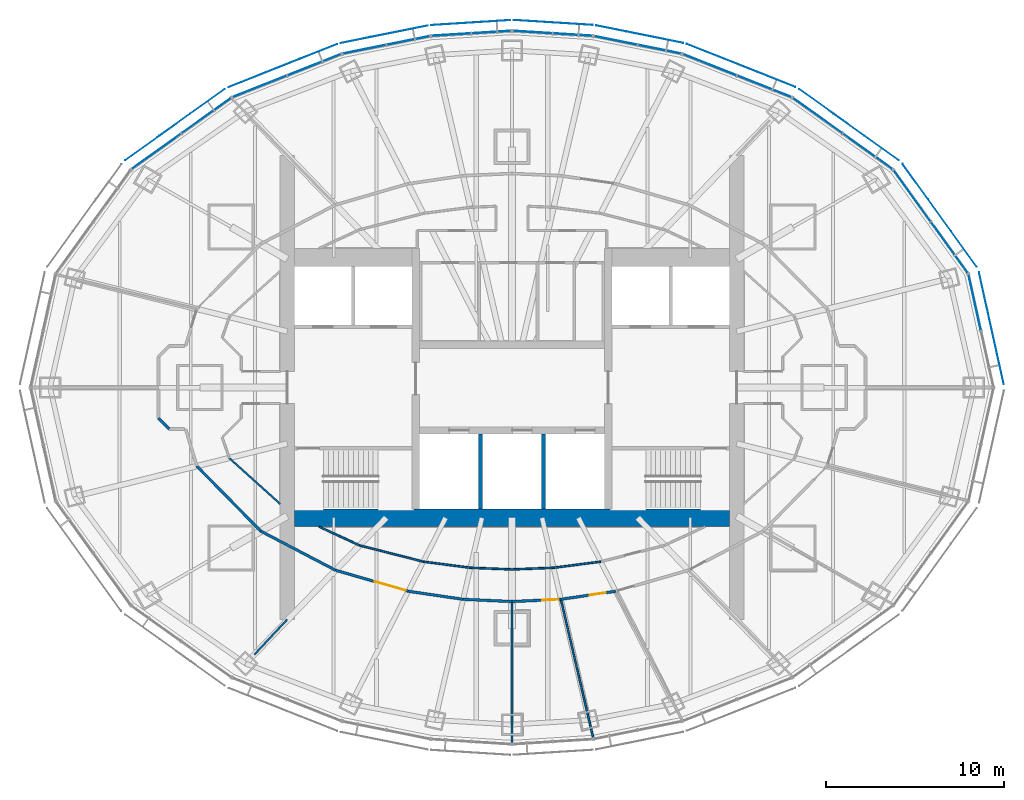
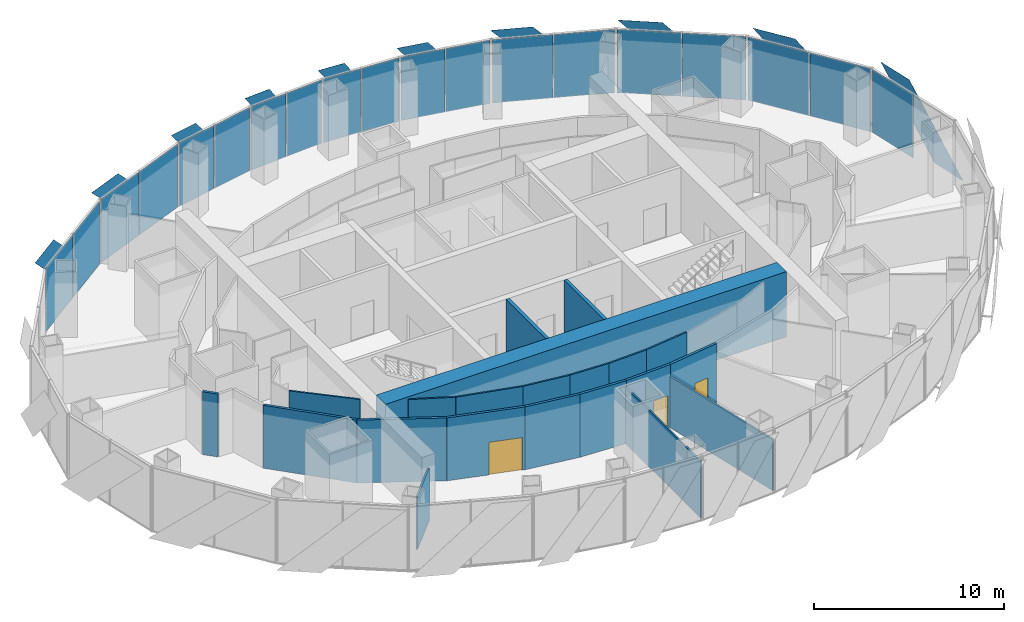
# One storey, part 11 of 17: 29 plates, 21 walls, 3 doors, 3 openings, 10 elements without a shape of their own.
"""IFC4 building model written with IfcOpenShell, lengths in metres."""

from ifc_helpers import new_model, si_unit, direction, frame, frame_2d, origin, origin_2d, place, context, subcontext, project, spatial, polyline, rectangle, outline, extrude, material, layer, layer_set, type_object, element, fill, aggregate, save


model = new_model("IFC4")

# Units and contexts
model_context = context("Model", 3, precision=1e-05, world=origin(), true_north=direction((0.0, 1.0)))
body_context = subcontext(model_context, "Body", "Model", "MODEL_VIEW")
ifc_project = project(units=[si_unit("LENGTHUNIT", "METRE"), si_unit("AREAUNIT", "SQUARE_METRE"), si_unit("VOLUMEUNIT", "CUBIC_METRE"), si_unit("PLANEANGLEUNIT", "RADIAN"), si_unit("MASSUNIT", "GRAM", prefix="KILO")], contexts=[model_context])

# Site, building, storey
site_placement = place(None, origin())
site = spatial("IfcSite", under=ifc_project, at=site_placement, CompositionType="ELEMENT")
building_placement = place(site_placement, origin())
building = spatial("IfcBuilding", under=site, at=building_placement, Name="Lantaw Convention Tower", CompositionType="ELEMENT")
storey_placement = place(building_placement, frame((0.0, 0.0, 220.0)))
storey = spatial("IfcBuildingStorey", under=building, at=storey_placement, Name="L51", CompositionType="ELEMENT", Elevation=220.0)

# Curtain wall, plate
ifc_material_1 = material(Name="Aluminium framed curtain wall", Category="aluminium")
curtain_wall_type = type_object("IfcCurtainWallType", Name="Office curtain wall high rise, pale aluminium", PredefinedType="USERDEFINED", material=ifc_material_1)
curtain_wall_1_placement = place(storey_placement, origin())
curtain_wall_1 = element("IfcCurtainWall", 1, at=curtain_wall_1_placement, inside=storey, type_object=curtain_wall_type, Name="Office curtain wall high rise, pale aluminium L51", ObjectType="UNITISED CURTAIN WALL", PredefinedType="USERDEFINED")
ifc_material_2 = material(Name="Clear insulating glass", Category="glass")
ifc_layer_1 = layer(ifc_material_2, 0.028076171875)
ifc_layer_set_1 = layer_set([ifc_layer_1], Name="CW-O2 panel 28")
plate_type_1 = type_object("IfcPlateType", Name="CW-O2 panel 28", PredefinedType="CURTAIN_PANEL", material=ifc_layer_set_1)
plate_1_placement = place(storey_placement, frame((25.945556640625, 4.769287109375, -0.0849609375), z_axis=(0.0, 0.0, 1.0), x_axis=(-0.215891333626, 0.976417396437, 0.0)))
plate_1 = element("IfcPlate", 2, at=plate_1_placement, type_object=plate_type_1, Name="CW-O2 panel 2.1", PredefinedType="CURTAIN_PANEL", context=body_context, shape_type="SweptSolid", body=[
    extrude(rectangle(XDim=3.169677734375, YDim=0.028076171875, at=origin_2d()), origin(), (0.0, 0.0, 1.0), 4.070068359375),
])
aggregate(curtain_wall_1, [plate_1])

# Curtain wall, plates
curtain_wall_2_placement = place(storey_placement, origin())
curtain_wall_2 = element("IfcCurtainWall", 3, at=curtain_wall_2_placement, inside=storey, type_object=curtain_wall_type, Name="Office curtain wall high rise, pale aluminium L51", ObjectType="UNITISED CURTAIN WALL", PredefinedType="USERDEFINED")
plate_2_placement = place(storey_placement, frame((24.527099609375, 7.852294921875, -0.0849609375), z_axis=(0.0, 0.0, 1.0), x_axis=(-0.585157643865, 0.810919559405, 0.0)))
plate_2 = element("IfcPlate", 4, at=plate_2_placement, type_object=plate_type_1, Name="CW-O2 panel 1.1", PredefinedType="CURTAIN_PANEL", context=body_context, shape_type="SweptSolid", body=[
    extrude(rectangle(XDim=3.500732421875, YDim=0.028076171875, at=origin_2d()), origin(), (0.0, 0.0, 1.0), 4.070068359375),
])
plate_3_placement = place(storey_placement, frame((22.4404296875, 10.743896484375, -0.0849609375), z_axis=(0.0, 0.0, 1.0), x_axis=(-0.585157643865, 0.810919559405, 0.0)))
plate_3 = element("IfcPlate", 5, at=plate_3_placement, type_object=plate_type_1, Name="CW-O2 panel 2.1", PredefinedType="CURTAIN_PANEL", context=body_context, shape_type="SweptSolid", body=[
    extrude(rectangle(XDim=3.500732421875, YDim=0.028076171875, at=origin_2d()), origin(), (0.0, 0.0, 1.0), 4.070068359375),
])
aggregate(curtain_wall_2, [plate_2, plate_3])

curtain_wall_3_placement = place(storey_placement, origin())
curtain_wall_3 = element("IfcCurtainWall", 6, at=curtain_wall_3_placement, inside=storey, type_object=curtain_wall_type, Name="Office curtain wall high rise, pale aluminium L51", ObjectType="UNITISED CURTAIN WALL", PredefinedType="USERDEFINED")
plate_4_placement = place(storey_placement, frame((19.947509765625, 13.23828125, -0.0849609375), z_axis=(0.0, 0.0, 1.0), x_axis=(-0.813672540482, 0.581323487281, 0.0)))
plate_4 = element("IfcPlate", 7, at=plate_4_placement, type_object=plate_type_1, Name="CW-O2 panel 1.1", PredefinedType="CURTAIN_PANEL", context=body_context, shape_type="SweptSolid", body=[
    extrude(rectangle(XDim=3.386474609375, YDim=0.028076171875, at=origin_2d()), origin(), (0.0, 0.0, 1.0), 4.070068359375),
])
plate_5_placement = place(storey_placement, frame((17.13916015625, 15.24462890625, -0.0849609375), z_axis=(0.0, 0.0, 1.0), x_axis=(-0.813672540482, 0.581323487281, 0.0)))
plate_5 = element("IfcPlate", 8, at=plate_5_placement, type_object=plate_type_1, Name="CW-O2 panel 2.1", PredefinedType="CURTAIN_PANEL", context=body_context, shape_type="SweptSolid", body=[
    extrude(rectangle(XDim=3.386474609375, YDim=0.028076171875, at=origin_2d()), origin(), (0.0, 0.0, 1.0), 4.070068359375),
])
aggregate(curtain_wall_3, [plate_4, plate_5])

curtain_wall_4_placement = place(storey_placement, origin())
curtain_wall_4 = element("IfcCurtainWall", 9, at=curtain_wall_4_placement, inside=storey, type_object=curtain_wall_type, Name="Office curtain wall high rise, pale aluminium L51", ObjectType="UNITISED CURTAIN WALL", PredefinedType="USERDEFINED")
plate_6_placement = place(storey_placement, frame((14.14990234375, 16.8837890625, -0.0849609375), z_axis=(0.0, 0.0, 1.0), x_axis=(-0.929761533743, 0.368162315252, 0.0)))
plate_6 = element("IfcPlate", 10, at=plate_6_placement, type_object=plate_type_1, Name="CW-O2 panel 1.1", PredefinedType="CURTAIN_PANEL", context=body_context, shape_type="SweptSolid", body=[
    extrude(rectangle(XDim=3.222900390625, YDim=0.028076171875, at=origin_2d()), origin(), (0.0, 0.0, 1.0), 4.070068359375),
])
plate_7_placement = place(storey_placement, frame((11.0927734375, 18.094482421875, -0.0849609375), z_axis=(0.0, 0.0, 1.0), x_axis=(-0.929761533743, 0.368162315252, 0.0)))
plate_7 = element("IfcPlate", 11, at=plate_7_placement, type_object=plate_type_1, Name="CW-O2 panel 2.1", PredefinedType="CURTAIN_PANEL", context=body_context, shape_type="SweptSolid", body=[
    extrude(rectangle(XDim=3.222900390625, YDim=0.028076171875, at=origin_2d()), origin(), (0.0, 0.0, 1.0), 4.070068359375),
])
aggregate(curtain_wall_4, [plate_6, plate_7])

curtain_wall_5_placement = place(storey_placement, origin())
curtain_wall_5 = element("IfcCurtainWall", 12, at=curtain_wall_5_placement, inside=storey, type_object=curtain_wall_type, Name="Office curtain wall high rise, pale aluminium L51", ObjectType="UNITISED CURTAIN WALL", PredefinedType="USERDEFINED")
plate_8_placement = place(storey_placement, frame((8.2724609375, 18.96533203125, -0.0849609375), z_axis=(0.0, 0.0, 1.0), x_axis=(-0.980366679695, 0.197183095987, 0.0)))
plate_8 = element("IfcPlate", 13, at=plate_8_placement, type_object=plate_type_1, Name="CW-O2 panel 1.1", PredefinedType="CURTAIN_PANEL", context=body_context, shape_type="SweptSolid", body=[
    extrude(rectangle(XDim=2.44384765625, YDim=0.028076171875, at=origin_2d()), origin(), (0.0, 0.0, 1.0), 4.070068359375),
])
plate_9_placement = place(storey_placement, frame((5.81298828125, 19.4599609375, -0.0849609375), z_axis=(0.0, 0.0, 1.0), x_axis=(-0.980366679695, 0.197183095987, 0.0)))
plate_9 = element("IfcPlate", 14, at=plate_9_placement, type_object=plate_type_1, Name="CW-O2 panel 2.1", PredefinedType="CURTAIN_PANEL", context=body_context, shape_type="SweptSolid", body=[
    extrude(rectangle(XDim=2.44384765625, YDim=0.028076171875, at=origin_2d()), origin(), (0.0, 0.0, 1.0), 4.070068359375),
])
aggregate(curtain_wall_5, [plate_8, plate_9])

curtain_wall_6_placement = place(storey_placement, origin())
curtain_wall_6 = element("IfcCurtainWall", 15, at=curtain_wall_6_placement, inside=storey, type_object=curtain_wall_type, Name="Office curtain wall high rise, pale aluminium L51", ObjectType="UNITISED CURTAIN WALL", PredefinedType="USERDEFINED")
plate_10_placement = place(storey_placement, frame((3.397216796875, 19.786376953125, -0.0849609375), z_axis=(0.0, 0.0, 1.0), x_axis=(-0.998028774865, 0.062757983884, 0.0)))
plate_10 = element("IfcPlate", 16, at=plate_10_placement, type_object=plate_type_1, Name="CW-O2 panel 1.1", PredefinedType="CURTAIN_PANEL", context=body_context, shape_type="SweptSolid", body=[
    extrude(rectangle(XDim=2.1826171875, YDim=0.028076171875, at=origin_2d()), origin(), (0.0, 0.0, 1.0), 4.070068359375),
])
plate_11_placement = place(storey_placement, frame((1.154052734375, 19.927490234375, -0.0849609375), z_axis=(0.0, 0.0, 1.0), x_axis=(-0.998028774865, 0.062757983884, 0.0)))
plate_11 = element("IfcPlate", 17, at=plate_11_placement, type_object=plate_type_1, Name="CW-O2 panel 2.1", PredefinedType="CURTAIN_PANEL", context=body_context, shape_type="SweptSolid", body=[
    extrude(rectangle(XDim=2.1826171875, YDim=0.028076171875, at=origin_2d()), origin(), (0.0, 0.0, 1.0), 4.070068359375),
])
aggregate(curtain_wall_6, [plate_10, plate_11])

curtain_wall_7_placement = place(storey_placement, origin())
curtain_wall_7 = element("IfcCurtainWall", 18, at=curtain_wall_7_placement, inside=storey, type_object=curtain_wall_type, Name="Office curtain wall high rise, pale aluminium L51", ObjectType="UNITISED CURTAIN WALL", PredefinedType="USERDEFINED")
plate_12_placement = place(storey_placement, frame((-1.154052734375, 19.927490234375, -0.0849609375), z_axis=(0.0, 0.0, 1.0), x_axis=(-0.998028774865, -0.062757983884, 0.0)))
plate_12 = element("IfcPlate", 19, at=plate_12_placement, type_object=plate_type_1, Name="CW-O2 panel 1.1", PredefinedType="CURTAIN_PANEL", context=body_context, shape_type="SweptSolid", body=[
    extrude(rectangle(XDim=2.1826171875, YDim=0.028076171875, at=origin_2d()), origin(), (0.0, 0.0, 1.0), 4.070068359375),
])
plate_13_placement = place(storey_placement, frame((-3.397216796875, 19.786376953125, -0.0849609375), z_axis=(0.0, 0.0, 1.0), x_axis=(-0.998028774865, -0.062757983884, 0.0)))
plate_13 = element("IfcPlate", 20, at=plate_13_placement, type_object=plate_type_1, Name="CW-O2 panel 2.1", PredefinedType="CURTAIN_PANEL", context=body_context, shape_type="SweptSolid", body=[
    extrude(rectangle(XDim=2.1826171875, YDim=0.028076171875, at=origin_2d()), origin(), (0.0, 0.0, 1.0), 4.070068359375),
])
aggregate(curtain_wall_7, [plate_12, plate_13])

curtain_wall_8_placement = place(storey_placement, origin())
curtain_wall_8 = element("IfcCurtainWall", 21, at=curtain_wall_8_placement, inside=storey, type_object=curtain_wall_type, Name="Office curtain wall high rise, pale aluminium L51", ObjectType="UNITISED CURTAIN WALL", PredefinedType="USERDEFINED")
plate_14_placement = place(storey_placement, frame((-5.81298828125, 19.4599609375, -0.0849609375), z_axis=(0.0, 0.0, 1.0), x_axis=(-0.980366679695, -0.197183095987, 0.0)))
plate_14 = element("IfcPlate", 22, at=plate_14_placement, type_object=plate_type_1, Name="CW-O2 panel 1.1", PredefinedType="CURTAIN_PANEL", context=body_context, shape_type="SweptSolid", body=[
    extrude(rectangle(XDim=2.44384765625, YDim=0.028076171875, at=origin_2d()), origin(), (0.0, 0.0, 1.0), 4.070068359375),
])
plate_15_placement = place(storey_placement, frame((-8.2724609375, 18.96533203125, -0.0849609375), z_axis=(0.0, 0.0, 1.0), x_axis=(-0.980366679695, -0.197183095987, 0.0)))
plate_15 = element("IfcPlate", 23, at=plate_15_placement, type_object=plate_type_1, Name="CW-O2 panel 2.1", PredefinedType="CURTAIN_PANEL", context=body_context, shape_type="SweptSolid", body=[
    extrude(rectangle(XDim=2.44384765625, YDim=0.028076171875, at=origin_2d()), origin(), (0.0, 0.0, 1.0), 4.070068359375),
])
aggregate(curtain_wall_8, [plate_14, plate_15])

curtain_wall_9_placement = place(storey_placement, origin())
curtain_wall_9 = element("IfcCurtainWall", 24, at=curtain_wall_9_placement, inside=storey, type_object=curtain_wall_type, Name="Office curtain wall high rise, pale aluminium L51", ObjectType="UNITISED CURTAIN WALL", PredefinedType="USERDEFINED")
plate_16_placement = place(storey_placement, frame((-11.0927734375, 18.094482421875, -0.0849609375), z_axis=(0.0, 0.0, 1.0), x_axis=(-0.929761533743, -0.368162315252, 0.0)))
plate_16 = element("IfcPlate", 25, at=plate_16_placement, type_object=plate_type_1, Name="CW-O2 panel 1.1", PredefinedType="CURTAIN_PANEL", context=body_context, shape_type="SweptSolid", body=[
    extrude(rectangle(XDim=3.222900390625, YDim=0.028076171875, at=origin_2d()), origin(), (0.0, 0.0, 1.0), 4.070068359375),
])
plate_17_placement = place(storey_placement, frame((-14.14990234375, 16.8837890625, -0.0849609375), z_axis=(0.0, 0.0, 1.0), x_axis=(-0.929761533743, -0.368162315252, 0.0)))
plate_17 = element("IfcPlate", 26, at=plate_17_placement, type_object=plate_type_1, Name="CW-O2 panel 2.1", PredefinedType="CURTAIN_PANEL", context=body_context, shape_type="SweptSolid", body=[
    extrude(rectangle(XDim=3.222900390625, YDim=0.028076171875, at=origin_2d()), origin(), (0.0, 0.0, 1.0), 4.070068359375),
])
aggregate(curtain_wall_9, [plate_16, plate_17])

curtain_wall_10_placement = place(storey_placement, origin())
curtain_wall_10 = element("IfcCurtainWall", 27, at=curtain_wall_10_placement, inside=storey, type_object=curtain_wall_type, Name="Office curtain wall high rise, pale aluminium L51", ObjectType="UNITISED CURTAIN WALL", PredefinedType="USERDEFINED")
plate_18_placement = place(storey_placement, frame((-17.13916015625, 15.24462890625, -0.0849609375), z_axis=(0.0, 0.0, 1.0), x_axis=(-0.813672540482, -0.581323487281, 0.0)))
plate_18 = element("IfcPlate", 28, at=plate_18_placement, type_object=plate_type_1, Name="CW-O2 panel 1.1", PredefinedType="CURTAIN_PANEL", context=body_context, shape_type="SweptSolid", body=[
    extrude(rectangle(XDim=3.386474609375, YDim=0.028076171875, at=origin_2d()), origin(), (0.0, 0.0, 1.0), 4.070068359375),
])
plate_19_placement = place(storey_placement, frame((-19.947509765625, 13.23828125, -0.0849609375), z_axis=(0.0, 0.0, 1.0), x_axis=(-0.813672540482, -0.581323487281, 0.0)))
plate_19 = element("IfcPlate", 29, at=plate_19_placement, type_object=plate_type_1, Name="CW-O2 panel 2.1", PredefinedType="CURTAIN_PANEL", context=body_context, shape_type="SweptSolid", body=[
    extrude(rectangle(XDim=3.386474609375, YDim=0.028076171875, at=origin_2d()), origin(), (0.0, 0.0, 1.0), 4.070068359375),
])
aggregate(curtain_wall_10, [plate_18, plate_19])

# Plates
ifc_material_3 = material(Name="Perforated aluminium sheet, pale silver finish", Category="aluminium")
ifc_layer_2 = layer(ifc_material_3, 0.006103515625)
ifc_layer_set_2 = layer_set([ifc_layer_2], Name="Perforated aluminium solar SCREEN panel")
plate_type_2 = type_object("IfcPlateType", Name="Perforated aluminium solar SCREEN panel", PredefinedType="SHEET", material=ifc_layer_set_2)
plate_20_placement = place(storey_placement, frame((27.580810546875, 0.1796875, -0.175048828125), z_axis=(0.976429511424, 0.215836529031, 4.4219438e-05), x_axis=(-0.215836529242, 0.976429512379, 0.0)))
element("IfcPlate", 30, at=plate_20_placement, inside=storey, type_object=plate_type_2, Name="Solar SCREEN panel", PredefinedType="SHEET", context=body_context, shape_type="SweptSolid", body=[
    extrude(outline(polyline([(0.0, 0.0), (2.2215525295212517, -3.3881317890172014e-21), (6.4341686174090675, 4.340087894868215), (4.212616087887817, 4.340087894868215), (0.0, 0.0)])), origin(), (0.0, 0.0, -1.0), 0.006103515625),
])
plate_21_placement = place(storey_placement, frame((26.051513671875, 6.775390625, -0.175048828125), z_axis=(-0.810892289695, -0.585195432394, 2.0458414e-05), x_axis=(-0.585195432516, 0.810892289865, 0.0)))
element("IfcPlate", 31, at=plate_21_placement, inside=storey, type_object=plate_type_2, Name="Solar SCREEN panel", PredefinedType="SHEET", context=body_context, shape_type="SweptSolid", body=[
    extrude(outline(polyline([(0.0, 0.0), (2.446848840683286, 6.776263578034403e-21), (7.09661046667572, -4.340087891533265), (4.649761625992435, -4.340087891533265), (0.0, 0.0)])), origin(), (0.0, 0.0, -1.0), 0.006103515625),
])
plate_22_placement = place(storey_placement, frame((21.689697265625, 12.73828125, -0.175048828125), z_axis=(0.581330799771, 0.813667316006, 1.0072414e-05), x_axis=(-0.813667316047, 0.5813307998, 3.02e-10)))
element("IfcPlate", 32, at=plate_22_placement, inside=storey, type_object=plate_type_2, Name="Solar SCREEN panel", PredefinedType="SHEET", context=body_context, shape_type="SweptSolid", body=[
    extrude(outline(polyline([(0.0, 0.0), (2.3691416428668504, 0.0), (6.867806096558412, 4.34008788877314), (4.498863102938644, 4.340087890202622), (0.0, 0.0)])), origin(), (0.0, 0.0, -1.0), 0.006103515625),
])
plate_23_placement = place(storey_placement, frame((15.88525390625, 16.8486328125, -0.175048828125), z_axis=(-0.368116612072, -0.929779629081, 3.5533269e-05), x_axis=(-0.929779629668, 0.368116612304, -1.786e-09)))
element("IfcPlate", 33, at=plate_23_placement, inside=storey, type_object=plate_type_2, Name="Solar SCREEN panel", PredefinedType="SHEET", context=body_context, shape_type="SweptSolid", body=[
    extrude(outline(polyline([(0.0, 0.0), (2.2578720663572183, -3.3881317890172014e-21), (6.540904465438181, -4.340087905048178), (4.282942526861161, -4.340087896982072), (0.0, 0.0)])), origin(), (0.0, 0.0, -1.0), 0.006103515625),
])
plate_24_placement = place(storey_placement, frame((9.6044921875, 19.315673828125, -0.175048828125), z_axis=(-0.197162069853, -0.980370908428, 1.0904083e-05), x_axis=(-0.980370908486, 0.197162069865, -7.55e-10)))
element("IfcPlate", 34, at=plate_24_placement, inside=storey, type_object=plate_type_2, Name="Solar SCREEN panel", PredefinedType="SHEET", context=body_context, shape_type="SweptSolid", body=[
    extrude(outline(polyline([(0.0, 0.0), (1.7279870169553606, 8.470329472543003e-22), (4.982578440602753, -4.340087894645749), (3.2545432883764285, -4.340087892035838), (0.0, 0.0)])), origin(), (0.0, 0.0, -1.0), 0.006103515625),
])
plate_25_placement = place(storey_placement, frame((4.539306640625, 20.32177734375, -0.175048828125), z_axis=(-0.062672387577, -0.998034151922, 5.858668e-05), x_axis=(-0.998034153635, 0.062672387685, 0.0)))
element("IfcPlate", 35, at=plate_25_placement, inside=storey, type_object=plate_type_2, Name="Solar SCREEN panel", PredefinedType="SHEET", context=body_context, shape_type="SweptSolid", body=[
    extrude(outline(polyline([(0.0, 0.0), (1.5504111513762302, 8.470329472543003e-22), (4.460200019412434, -4.340087898073457), (2.9097888680362036, -4.340087898073457), (0.0, 0.0)])), origin(), (0.0, 0.0, -1.0), 0.006103515625),
])
plate_26_placement = place(storey_placement, frame((-0.087890625, 20.6015625, -0.175048828125), z_axis=(-0.062672387577, 0.998034151922, 5.858668e-05), x_axis=(-0.998034153635, -0.062672387685, 0.0)))
element("IfcPlate", 36, at=plate_26_placement, inside=storey, type_object=plate_type_2, Name="Solar SCREEN panel", PredefinedType="SHEET", context=body_context, shape_type="SweptSolid", body=[
    extrude(outline(polyline([(0.0, 0.0), (1.5504111513762302, -8.470329472543003e-22), (4.460200019412434, 4.340087898073457), (2.9097888680362036, 4.340087898073457), (0.0, 0.0)])), origin(), (0.0, 0.0, -1.0), 0.006103515625),
])
plate_27_placement = place(storey_placement, frame((-4.7197265625, 20.298095703125, -0.175048828125), z_axis=(-0.197162069853, 0.980370908428, 1.0904083e-05), x_axis=(-0.980370908486, -0.197162069865, 7.55e-10)))
element("IfcPlate", 37, at=plate_27_placement, inside=storey, type_object=plate_type_2, Name="Solar SCREEN panel", PredefinedType="SHEET", context=body_context, shape_type="SweptSolid", body=[
    extrude(outline(polyline([(0.0, 0.0), (1.7280351522263238, 4.235164736271502e-22), (4.982578447157737, 4.34008788712039), (3.2545914302023755, 4.340087889730228), (0.0, 0.0)])), origin(), (0.0, 0.0, -1.0), 0.006103515625),
])
plate_28_placement = place(storey_placement, frame((-9.8037109375, 19.256591796875, -0.175048828125), z_axis=(-0.368116612072, 0.929779629081, 3.5533269e-05), x_axis=(-0.929779629668, -0.368116612304, 1.786e-09)))
element("IfcPlate", 38, at=plate_28_placement, inside=storey, type_object=plate_type_2, Name="Solar SCREEN panel", PredefinedType="SHEET", context=body_context, shape_type="SweptSolid", body=[
    extrude(outline(polyline([(0.0, 0.0), (2.257961938577019, 0.0), (6.540904480942253, 4.34008788168214), (4.283032414585035, 4.340087889747925), (0.0, 0.0)])), origin(), (0.0, 0.0, -1.0), 0.006103515625),
])
plate_29_placement = place(storey_placement, frame((-16.1015625, 16.730712890625, -0.175048828125), z_axis=(0.581330799771, -0.813667316006, 1.0072414e-05), x_axis=(-0.813667316047, -0.5813307998, -3.02e-10)))
element("IfcPlate", 39, at=plate_29_placement, inside=storey, type_object=plate_type_2, Name="Solar SCREEN panel", PredefinedType="SHEET", context=body_context, shape_type="SweptSolid", body=[
    extrude(outline(polyline([(0.0, 0.0), (2.3689429936197683, -1.6940658945086007e-21), (6.867806093939489, -4.340087892917353), (4.498664451072639, -4.340087891487751), (0.0, 0.0)])), origin(), (0.0, 0.0, -1.0), 0.006103515625),
])

# Walls
ifc_material_4 = material(Name="Concrete C60/75", Category="concrete")
ifc_layer_3 = layer(ifc_material_4, 1.0)
ifc_layer_set_3 = layer_set([ifc_layer_3], Name="Core wall 1000")
wall_type_1 = type_object("IfcWallType", Name="Core wall 1000", PredefinedType="SHEAR", material=ifc_layer_set_3)
wall_1_placement = place(storey_placement, frame((-12.199951171875, -7.300048828125, 0.0), z_axis=(0.0, 0.0, 1.0), x_axis=(1.0, 0.0, 0.0)))
element("IfcWall", 40, at=wall_1_placement, inside=storey, type_object=wall_type_1, Name="Core wall S", PredefinedType="SHEAR", context=body_context, shape_type="SweptSolid", body=[
    extrude(rectangle(XDim=24.39990234375, YDim=1.0, at=frame_2d((12.199951171875, 0.0))), origin(), (0.0, 0.0, 1.0), 4.199951171875),
])
ifc_material_5 = material(Name="Gypsum board on steel studs, fire rated", Category="steel")
ifc_layer_4 = layer(ifc_material_5, 0.14990234375)
ifc_layer_set_4 = layer_set([ifc_layer_4], Name="Corridor wall 150 EI 60")
wall_type_2 = type_object("IfcWallType", Name="Corridor wall 150 EI 60", PredefinedType="PARTITIONING", material=ifc_layer_set_4)
wall_2_placement = place(storey_placement, frame((-17.6728515625, -4.40625, 0.0), z_axis=(0.0, 0.0, 1.0), x_axis=(0.701111216625, -0.713051934941, 0.0)))
element("IfcWall", 41, at=wall_2_placement, inside=storey, type_object=wall_type_2, Name="Corridor wall 150", PredefinedType="PARTITIONING", context=body_context, shape_type="SweptSolid", body=[
    extrude(rectangle(XDim=5.111572265625, YDim=0.14990234375, at=frame_2d((2.5556640625, 0.0))), origin(), (0.0, 0.0, 1.0), 4.050048828125),
])
wall_3_placement = place(storey_placement, frame((-14.089111328125, -8.051025390625, 0.0), z_axis=(0.0, 0.0, 1.0), x_axis=(0.886174439647, -0.463351769735, 0.0)))
element("IfcWall", 42, at=wall_3_placement, inside=storey, type_object=wall_type_2, Name="Corridor wall 150", PredefinedType="PARTITIONING", context=body_context, shape_type="SweptSolid", body=[
    extrude(rectangle(XDim=4.734619140625, YDim=0.14990234375, at=frame_2d((2.3671875, 0.0))), origin(), (0.0, 0.0, 1.0), 4.050048828125),
])

# Wall, opening, door
wall_4_placement = place(storey_placement, frame((-9.893310546875, -10.244873046875, 0.0), z_axis=(0.0, 0.0, 1.0), x_axis=(0.960614838378, -0.27788330696, 0.0)))
wall_4 = element("IfcWall", 43, at=wall_4_placement, inside=storey, type_object=wall_type_2, Name="Corridor wall 150", PredefinedType="PARTITIONING", context=body_context, shape_type="SweptSolid", body=[
    extrude(rectangle(XDim=4.239990234375, YDim=0.14990234375, at=frame_2d((2.1201171875, 0.0))), origin(), (0.0, 0.0, 1.0), 4.050048828125),
])
opening_1_placement = place(wall_4_placement, frame((2.2900390625, 0.0, 0.0)))
opening_1 = element("IfcOpeningElement", 44, at=opening_1_placement, cuts=wall_4, Name="Opening L51.28", PredefinedType="OPENING", context=body_context, shape_type="SweptSolid", body=[
    extrude(rectangle(XDim=1.800048828125, YDim=2.10009765625, at=frame_2d((0.89990234375, 1.050048828125))), frame((0.0, 0.0849609375, 0.0), z_axis=(0.0, -1.0, 0.0), x_axis=(1.0, 0.0, 0.0)), (0.0, 0.0, 1.0), 0.169921875),
])
ifc_material_6 = material(Name="Steel, fire rated", Category="steel")
door_type_1 = type_object("IfcDoorType", Name="Office double door 1800 FD30", OperationType="DOUBLE_DOOR_DOUBLE_SWING", PredefinedType="DOOR", material=ifc_material_6)
door_1_placement = place(opening_1_placement, origin())
door_1 = element("IfcDoor", 45, at=door_1_placement, inside=storey, type_object=door_type_1, Name="Open office door", OperationType="DOUBLE_DOOR_DOUBLE_SWING", OverallHeight=2.10009765625, OverallWidth=1.800048828125, PredefinedType="DOOR", context=body_context, shape_type="SweptSolid", body=[
    extrude(rectangle(XDim=1.800048828125, YDim=2.10009765625, at=frame_2d((0.89990234375, 1.050048828125))), frame((0.0, 0.02490234375, 0.0), z_axis=(0.0, -1.0, 0.0), x_axis=(1.0, 0.0, 0.0)), (0.0, 0.0, 1.0), 0.050048828125),
])
fill(opening_1, door_1)

# Walls
wall_5_placement = place(storey_placement, frame((-5.8203125, -11.423095703125, 0.0), z_axis=(0.0, 0.0, 1.0), x_axis=(0.989421822189, -0.145067080265, 0.0)))
element("IfcWall", 46, at=wall_5_placement, inside=storey, type_object=wall_type_2, Name="Corridor wall 150", PredefinedType="PARTITIONING", context=body_context, shape_type="SweptSolid", body=[
    extrude(rectangle(XDim=3.11181640625, YDim=0.14990234375, at=frame_2d((1.555908203125, 0.0))), origin(), (0.0, 0.0, 1.0), 4.050048828125),
])
wall_6_placement = place(storey_placement, frame((-2.741455078125, -11.87451171875, 0.0), z_axis=(0.0, 0.0, 1.0), x_axis=(0.998953998629, -0.045726454297, 0.0)))
element("IfcWall", 47, at=wall_6_placement, inside=storey, type_object=wall_type_2, Name="Corridor wall 150", PredefinedType="PARTITIONING", context=body_context, shape_type="SweptSolid", body=[
    extrude(rectangle(XDim=2.744384765625, YDim=0.14990234375, at=frame_2d((1.3720703125, 0.0))), origin(), (0.0, 0.0, 1.0), 4.050048828125),
])

# Wall, opening, door
wall_7_placement = place(storey_placement, frame((0.0, -12.0, 0.0), z_axis=(0.0, 0.0, 1.0), x_axis=(0.998953998629, 0.045726454297, 0.0)))
wall_7 = element("IfcWall", 48, at=wall_7_placement, inside=storey, type_object=wall_type_2, Name="Corridor wall 150", PredefinedType="PARTITIONING", context=body_context, shape_type="SweptSolid", body=[
    extrude(rectangle(XDim=2.744384765625, YDim=0.14990234375, at=frame_2d((1.3720703125, 0.0))), origin(), (0.0, 0.0, 1.0), 4.050048828125),
])
opening_2_placement = place(wall_7_placement, frame((1.6943359375, 0.0, 0.0)))
opening_2 = element("IfcOpeningElement", 49, at=opening_2_placement, cuts=wall_7, Name="Opening L51.29", PredefinedType="OPENING", context=body_context, shape_type="SweptSolid", body=[
    extrude(rectangle(XDim=0.89990234375, YDim=2.10009765625, at=frame_2d((0.449951171875, 1.050048828125))), frame((0.0, 0.0849609375, 0.0), z_axis=(0.0, -1.0, 0.0), x_axis=(1.0, 0.0, 0.0)), (0.0, 0.0, 1.0), 0.169921875),
])
door_type_2 = type_object("IfcDoorType", Name="Office door 900 FD30", OperationType="SINGLE_SWING_LEFT", PredefinedType="DOOR", material=ifc_material_6)
door_2_placement = place(opening_2_placement, origin())
door_2 = element("IfcDoor", 50, at=door_2_placement, inside=storey, type_object=door_type_2, Name="Meeting room door", OperationType="SINGLE_SWING_LEFT", OverallHeight=2.10009765625, OverallWidth=0.89990234375, PredefinedType="DOOR", context=body_context, shape_type="SweptSolid", body=[
    extrude(rectangle(XDim=0.89990234375, YDim=2.10009765625, at=frame_2d((0.449951171875, 1.050048828125))), frame((0.0, 0.02490234375, 0.0), z_axis=(0.0, -1.0, 0.0), x_axis=(1.0, 0.0, 0.0)), (0.0, 0.0, 1.0), 0.050048828125),
])
fill(opening_2, door_2)

wall_8_placement = place(storey_placement, frame((2.741455078125, -11.87451171875, 0.0), z_axis=(0.0, 0.0, 1.0), x_axis=(0.989421822189, 0.145067080265, 0.0)))
wall_8 = element("IfcWall", 51, at=wall_8_placement, inside=storey, type_object=wall_type_2, Name="Corridor wall 150", PredefinedType="PARTITIONING", context=body_context, shape_type="SweptSolid", body=[
    extrude(rectangle(XDim=3.11181640625, YDim=0.14990234375, at=frame_2d((1.555908203125, 0.0))), origin(), (0.0, 0.0, 1.0), 4.050048828125),
])
opening_3_placement = place(wall_8_placement, frame((1.636962890625, 0.0, 0.0)))
opening_3 = element("IfcOpeningElement", 52, at=opening_3_placement, cuts=wall_8, Name="Opening L51.30", PredefinedType="OPENING", context=body_context, shape_type="SweptSolid", body=[
    extrude(rectangle(XDim=0.89990234375, YDim=2.10009765625, at=frame_2d((0.449951171875, 1.050048828125))), frame((0.0, 0.0849609375, 0.0), z_axis=(0.0, -1.0, 0.0), x_axis=(1.0, 0.0, 0.0)), (0.0, 0.0, 1.0), 0.169921875),
])
door_3_placement = place(opening_3_placement, origin())
door_3 = element("IfcDoor", 53, at=door_3_placement, inside=storey, type_object=door_type_2, Name="Meeting room door", OperationType="SINGLE_SWING_LEFT", OverallHeight=2.10009765625, OverallWidth=0.89990234375, PredefinedType="DOOR", context=body_context, shape_type="SweptSolid", body=[
    extrude(rectangle(XDim=0.89990234375, YDim=2.10009765625, at=frame_2d((0.449951171875, 1.050048828125))), frame((0.0, 0.02490234375, 0.0), z_axis=(0.0, -1.0, 0.0), x_axis=(1.0, 0.0, 0.0)), (0.0, 0.0, 1.0), 0.050048828125),
])
fill(opening_3, door_3)

# Walls
wall_9_placement = place(storey_placement, frame((-19.224609375, -2.324951171875, 0.0), z_axis=(0.0, 0.0, 1.0), x_axis=(-0.707106781187, 0.707106781187, 0.0)))
element("IfcWall", 54, at=wall_9_placement, inside=storey, type_object=wall_type_2, Name="Corridor wall 150", PredefinedType="PARTITIONING", context=body_context, shape_type="SweptSolid", body=[
    extrude(rectangle(XDim=0.84912109375, YDim=0.14990234375, at=frame_2d((0.424560546875, 0.0))), origin(), (0.0, 0.0, 1.0), 4.050048828125),
])
ifc_material_7 = material(Name="Gypsum board on steel studs, acoustic", Category="steel")
ifc_layer_5 = layer(ifc_material_7, 0.10009765625)
ifc_layer_set_5 = layer_set([ifc_layer_5], Name="Office partition 100")
wall_type_3 = type_object("IfcWallType", Name="Office partition 100", PredefinedType="PARTITIONING", material=ifc_layer_set_5)
wall_10_placement = place(storey_placement, frame((0.0, -19.94482421875, 0.0), z_axis=(0.0, 0.0, 1.0), x_axis=(0.0, 1.0, 0.0)))
element("IfcWall", 55, at=wall_10_placement, inside=storey, type_object=wall_type_3, Name="Office partition 100", PredefinedType="PARTITIONING", context=body_context, shape_type="SweptSolid", body=[
    extrude(rectangle(XDim=7.94482421875, YDim=0.10009765625, at=frame_2d((3.972412109375, 0.0))), origin(), (0.0, 0.0, 1.0), 3.6435546875),
])
wall_11_placement = place(storey_placement, frame((4.5556640625, -19.65673828125, 0.0), z_axis=(0.0, 0.0, 1.0), x_axis=(-0.227034513848, 0.973886712879, 0.0)))
element("IfcWall", 56, at=wall_11_placement, inside=storey, type_object=wall_type_3, Name="Office partition 100", PredefinedType="PARTITIONING", context=body_context, shape_type="SweptSolid", body=[
    extrude(rectangle(XDim=7.990966796875, YDim=0.10009765625, at=frame_2d((3.99560546875, 0.0))), origin(), (0.0, 0.0, 1.0), 3.29296875),
])
wall_12_placement = place(storey_placement, frame((-13.0, -6.5244140625, 0.0), z_axis=(0.0, 0.0, 1.0), x_axis=(-0.743177243228, 0.669094601046, 0.0)))
element("IfcWall", 57, at=wall_12_placement, inside=storey, type_object=wall_type_3, Name="Office partition 100", PredefinedType="PARTITIONING", context=body_context, shape_type="SweptSolid", body=[
    extrude(rectangle(XDim=3.842529296875, YDim=0.10009765625, at=frame_2d((1.92138671875, 0.0))), origin(), (0.0, 0.0, 1.0), 4.050048828125),
])
wall_13_placement = place(storey_placement, frame((4.97509765625, -9.763916015625, 0.0), z_axis=(0.0, 0.0, 1.0), x_axis=(-0.99173579163, -0.128296997624, 0.0)))
element("IfcWall", 58, at=wall_13_placement, inside=storey, type_object=wall_type_3, Name="Office partition 100", PredefinedType="PARTITIONING", context=body_context, shape_type="SweptSolid", body=[
    extrude(rectangle(XDim=2.6640625, YDim=0.10009765625, at=frame_2d((1.33203125, 0.0))), origin(), (0.0, 0.0, 1.0), 4.050048828125),
])
for number, where, z_axis, x_axis, name in (
    (59, (2.3330078125, -10.105712890625, 0.0), (0.0, 0.0, 1.0), (-0.999185180766, -0.040360556695, 0.0), "Office partition 100"),
    (60, (0.0, -10.199951171875, 0.0), (0.0, 0.0, 1.0), (-0.999185180766, 0.040360556695, 0.0), "Office partition 100"),
):
    element("IfcWall", number, at=place(storey_placement, frame(where, z_axis=z_axis, x_axis=x_axis)), inside=storey, type_object=wall_type_3, Name=name, PredefinedType="PARTITIONING", context=body_context, shape_type="SweptSolid", body=[
        extrude(rectangle(XDim=2.3349609375, YDim=0.10009765625, at=frame_2d((1.16748046875, 0.0))), origin(), (0.0, 0.0, 1.0), 4.050048828125),
    ])
wall_14_placement = place(storey_placement, frame((-2.3330078125, -10.105712890625, 0.0), z_axis=(0.0, 0.0, 1.0), x_axis=(-0.99173579163, 0.128296997624, 0.0)))
element("IfcWall", 61, at=wall_14_placement, inside=storey, type_object=wall_type_3, Name="Office partition 100", PredefinedType="PARTITIONING", context=body_context, shape_type="SweptSolid", body=[
    extrude(rectangle(XDim=2.6640625, YDim=0.10009765625, at=frame_2d((1.33203125, 0.0))), origin(), (0.0, 0.0, 1.0), 4.050048828125),
])
wall_15_placement = place(storey_placement, frame((-4.97509765625, -9.763916015625, 0.0), z_axis=(0.0, 0.0, 1.0), x_axis=(-0.968887312542, 0.247502273921, 0.0)))
element("IfcWall", 62, at=wall_15_placement, inside=storey, type_object=wall_type_3, Name="Office partition 100", PredefinedType="PARTITIONING", context=body_context, shape_type="SweptSolid", body=[
    extrude(rectangle(XDim=3.687255859375, YDim=0.10009765625, at=frame_2d((1.84375, 0.0))), origin(), (0.0, 0.0, 1.0), 4.050048828125),
])
wall_16_placement = place(storey_placement, frame((-8.547607421875, -8.851318359375, 0.0), z_axis=(0.0, 0.0, 1.0), x_axis=(-0.907759689292, 0.419490579748, 0.0)))
element("IfcWall", 63, at=wall_16_placement, inside=storey, type_object=wall_type_3, Name="Office partition 100", PredefinedType="PARTITIONING", context=body_context, shape_type="SweptSolid", body=[
    extrude(rectangle(XDim=2.506103515625, YDim=0.10009765625, at=frame_2d((1.2529296875, 0.0))), origin(), (0.0, 0.0, 1.0), 4.050048828125),
])
wall_17_placement = place(storey_placement, frame((-12.60009765625, -13.0, 0.0), z_axis=(0.0, 0.0, 1.0), x_axis=(-0.682434118301, -0.730947107648, 0.0)))
element("IfcWall", 64, at=wall_17_placement, inside=storey, type_object=wall_type_3, Name="Office partition 100", PredefinedType="PARTITIONING", context=body_context, shape_type="SweptSolid", body=[
    extrude(rectangle(XDim=2.702392578125, YDim=0.10009765625, at=frame_2d((1.35107421875, 0.0))), origin(), (0.0, 0.0, 1.0), 3.409912109375),
])
ifc_material_8 = material(Name="Concrete blockwork, fire rated", Category="masonry")
ifc_layer_6 = layer(ifc_material_8, 0.199951171875)
ifc_layer_set_6 = layer_set([ifc_layer_6], Name="Shaft wall 200 load-bearing")
wall_type_4 = type_object("IfcWallType", Name="Shaft wall 200 load-bearing", PredefinedType="SOLIDWALL", material=ifc_layer_set_6)
for number, where, z_axis, x_axis, name in (
    (65, (-1.7666015625, -2.60009765625, 0.0), (0.0, 0.0, 1.0), (0.0, -1.0, 0.0), "Shaft wall DS1"),
    (66, (1.7666015625, -2.60009765625, 0.0), (0.0, 0.0, 1.0), (0.0, -1.0, 0.0), "Shaft wall DS2"),
):
    element("IfcWall", number, at=place(storey_placement, frame(where, z_axis=z_axis, x_axis=x_axis)), inside=storey, type_object=wall_type_4, Name=name, PredefinedType="SOLIDWALL", context=body_context, shape_type="SweptSolid", body=[
        extrude(rectangle(XDim=4.199951171875, YDim=0.199951171875, at=frame_2d((2.10009765625, 0.0))), origin(), (0.0, 0.0, 1.0), 4.199951171875),
    ])

save(model, "model.ifc")
